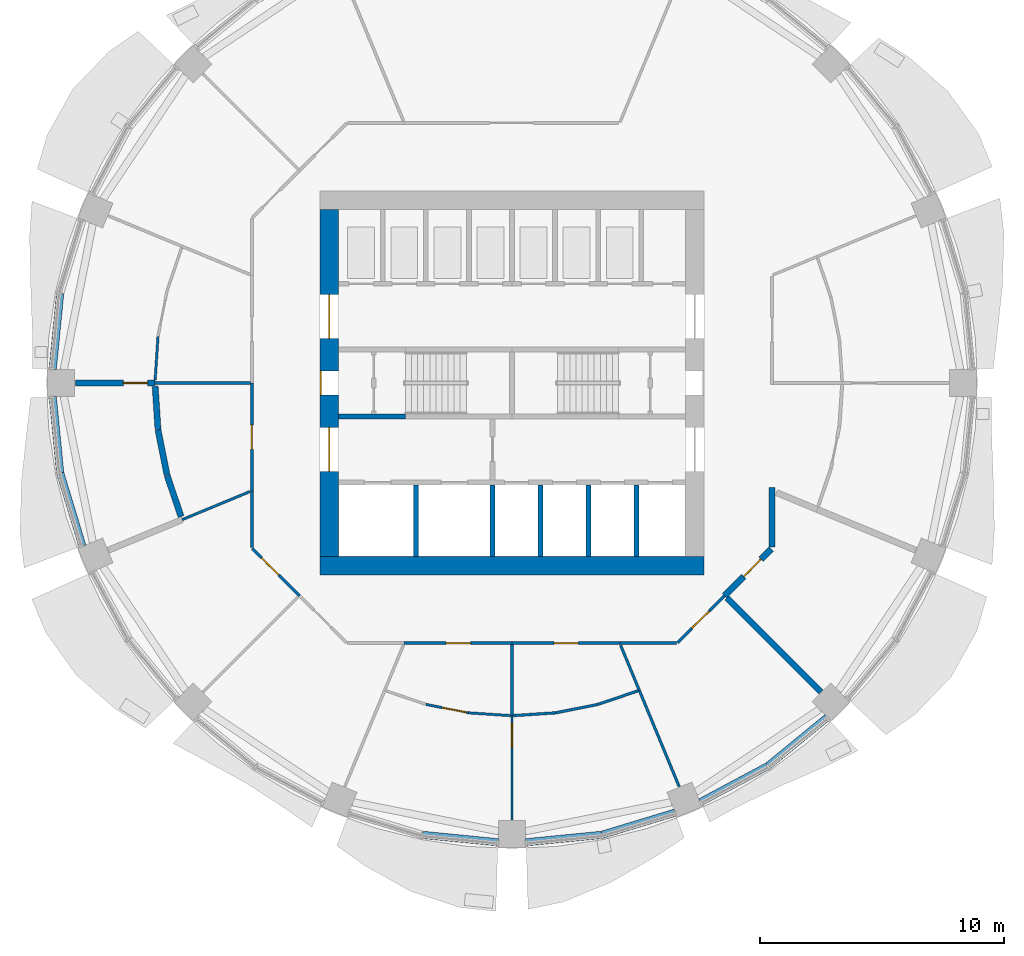
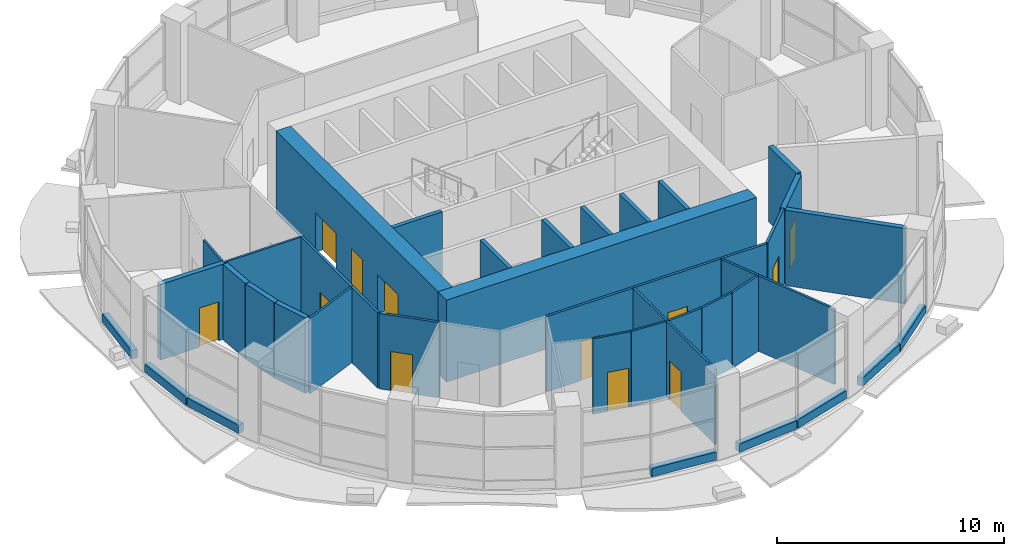
# One storey, part 6 of 13: 42 walls, 12 doors, 12 openings.
"""IFC4 building model written with IfcOpenShell, lengths in metres."""

from ifc_helpers import new_model, si_unit, direction, frame, frame_2d, origin, place, context, subcontext, project, spatial, rectangle, extrude, material, layer, layer_set, type_object, element, fill, save


model = new_model("IFC4")

# Units and contexts
model_context = context("Model", 3, precision=1e-05, world=origin(), true_north=direction((0.0, 1.0)))
body_context = subcontext(model_context, "Body", "Model", "MODEL_VIEW")
ifc_project = project(units=[si_unit("LENGTHUNIT", "METRE"), si_unit("AREAUNIT", "SQUARE_METRE"), si_unit("VOLUMEUNIT", "CUBIC_METRE"), si_unit("PLANEANGLEUNIT", "RADIAN"), si_unit("MASSUNIT", "GRAM", prefix="KILO")], contexts=[model_context])

# Site, building, storey
site_placement = place(None, origin())
site = spatial("IfcSite", under=ifc_project, at=site_placement, CompositionType="ELEMENT")
building_placement = place(site_placement, origin())
building = spatial("IfcBuilding", under=site, at=building_placement, Name="Polderwave Tower", CompositionType="ELEMENT")
storey_placement = place(building_placement, frame((0.0, 0.0, 116.550048828125)))
storey = spatial("IfcBuildingStorey", under=building, at=storey_placement, Name="L30", CompositionType="ELEMENT", Elevation=116.550048828125)

# Wall
ifc_material_1 = material(Name="Concrete C70/85", Category="concrete")
ifc_layer_1 = layer(ifc_material_1, 0.75)
ifc_layer_set_1 = layer_set([ifc_layer_1], Name="CORE WALL 750 C70/85")
wall_type_1 = type_object("IfcWallType", Name="CORE WALL 750 C70/85", PredefinedType="SHEAR", material=ifc_layer_set_1)
wall_1_placement = place(storey_placement, frame((-7.8740234375, -7.4990234375, 0.0), z_axis=(0.0, 0.0, 1.0), x_axis=(1.0, 0.0, 0.0)))
element("IfcWall", 1, at=wall_1_placement, inside=storey, type_object=wall_type_1, Name="ST-CORE-L30-S", PredefinedType="SHEAR", context=body_context, shape_type="SweptSolid", body=[
    extrude(rectangle(XDim=15.748046875, YDim=0.75, at=frame_2d((7.8740234375, 0.0))), origin(), (0.0, 0.0, 1.0), 4.39990234375),
])

# Wall, openings, doors
wall_2_placement = place(storey_placement, frame((-7.4990234375, -7.1240234375, 0.0), z_axis=(0.0, 0.0, 1.0), x_axis=(0.0, 1.0, 0.0)))
wall_2 = element("IfcWall", 2, at=wall_2_placement, inside=storey, type_object=wall_type_1, Name="ST-CORE-L30-W", PredefinedType="SHEAR", context=body_context, shape_type="SweptSolid", body=[
    extrude(rectangle(XDim=14.248046875, YDim=0.75, at=frame_2d((7.1240234375, 0.0))), origin(), (0.0, 0.0, 1.0), 4.39990234375),
])
opening_1_placement = place(wall_2_placement, frame((6.6240234375, 0.0, 0.0)))
opening_1 = element("IfcOpeningElement", 3, at=opening_1_placement, cuts=wall_2, Name="Opening L30-D20", PredefinedType="OPENING", context=body_context, shape_type="SweptSolid", body=[
    extrude(rectangle(XDim=1.0, YDim=2.10009765625, at=frame_2d((0.5, 1.050048828125))), frame((0.0, 0.385009765625, 0.0), z_axis=(0.0, -1.0, 0.0), x_axis=(1.0, 0.0, 0.0)), (0.0, 0.0, 1.0), 0.77001953125),
])
opening_2_placement = place(wall_2_placement, frame((3.49951171875, 0.0, 0.0)))
opening_2 = element("IfcOpeningElement", 4, at=opening_2_placement, cuts=wall_2, Name="Opening L30-D21", PredefinedType="OPENING", context=body_context, shape_type="SweptSolid", body=[
    extrude(rectangle(XDim=1.800048828125, YDim=2.10009765625, at=frame_2d((0.89990234375, 1.050048828125))), frame((0.0, 0.385009765625, 0.0), z_axis=(0.0, -1.0, 0.0), x_axis=(1.0, 0.0, 0.0)), (0.0, 0.0, 1.0), 0.77001953125),
])
opening_3_placement = place(wall_2_placement, frame((8.948486328125, 0.0, 0.0)))
opening_3 = element("IfcOpeningElement", 5, at=opening_3_placement, cuts=wall_2, Name="Opening L30-D22", PredefinedType="OPENING", context=body_context, shape_type="SweptSolid", body=[
    extrude(rectangle(XDim=1.800048828125, YDim=2.10009765625, at=frame_2d((0.89990234375, 1.050048828125))), frame((0.0, 0.385009765625, 0.0), z_axis=(0.0, -1.0, 0.0), x_axis=(1.0, 0.0, 0.0)), (0.0, 0.0, 1.0), 0.77001953125),
])
ifc_material_2 = material(Name="Steel fire door", Category="steel")
door_type_1 = type_object("IfcDoorType", Name="Lobby entry door pair 1800", OperationType="DOUBLE_DOOR_SINGLE_SWING", PredefinedType="DOOR", material=ifc_material_2)
door_1_placement = place(opening_2_placement, origin())
door_1 = element("IfcDoor", 6, at=door_1_placement, inside=storey, type_object=door_type_1, Name="Fire-fighting lobby entry door", OperationType="DOUBLE_DOOR_SINGLE_SWING", OverallHeight=2.10009765625, OverallWidth=1.800048828125, PredefinedType="DOOR", context=body_context, shape_type="SweptSolid", body=[
    extrude(rectangle(XDim=1.800048828125, YDim=2.10009765625, at=frame_2d((0.89990234375, 1.050048828125))), frame((0.0, 0.02490234375, 0.0), z_axis=(0.0, -1.0, 0.0), x_axis=(1.0, 0.0, 0.0)), (0.0, 0.0, 1.0), 0.050048828125),
])
fill(opening_2, door_1)
door_2_placement = place(opening_3_placement, origin())
door_2 = element("IfcDoor", 7, at=door_2_placement, inside=storey, type_object=door_type_1, Name="North lobby entry door", OperationType="DOUBLE_DOOR_SINGLE_SWING", OverallHeight=2.10009765625, OverallWidth=1.800048828125, PredefinedType="DOOR", context=body_context, shape_type="SweptSolid", body=[
    extrude(rectangle(XDim=1.800048828125, YDim=2.10009765625, at=frame_2d((0.89990234375, 1.050048828125))), frame((0.0, 0.02490234375, 0.0), z_axis=(0.0, -1.0, 0.0), x_axis=(1.0, 0.0, 0.0)), (0.0, 0.0, 1.0), 0.050048828125),
])
fill(opening_3, door_2)
door_type_2 = type_object("IfcDoorType", Name="Stair door 1000", OperationType="NOTDEFINED", PredefinedType="DOOR", material=ifc_material_2)
door_3_placement = place(opening_1_placement, origin())
door_3 = element("IfcDoor", 8, at=door_3_placement, inside=storey, type_object=door_type_2, Name="Stair A entry door", OperationType="SINGLE_SWING_RIGHT", OverallHeight=2.10009765625, OverallWidth=1.0, PredefinedType="DOOR", context=body_context, shape_type="SweptSolid", body=[
    extrude(rectangle(XDim=1.0, YDim=2.10009765625, at=frame_2d((0.5, 1.050048828125))), frame((0.0, 0.375, 0.0), z_axis=(0.0, -1.0, 0.0), x_axis=(1.0, 0.0, 0.0)), (0.0, 0.0, 1.0), 0.050048828125),
])
fill(opening_1, door_3)

# Walls
ifc_material_3 = material(Name="Concrete C50/60 (board-marked)", Category="concrete")
ifc_layer_2 = layer(ifc_material_3, 0.300048828125)
ifc_layer_set_2 = layer_set([ifc_layer_2], Name="Concrete spandrel upstand C50/60")
wall_type_2 = type_object("IfcWallType", Name="Concrete spandrel upstand C50/60", PredefinedType="SOLIDWALL", material=ifc_layer_set_2)
for number, where, z_axis, x_axis, name in (
    (9, (-18.53857421875, 3.672119140625, 0.0), (0.0, 0.0, 1.0), (-0.097947922522, -0.995191541601, 0.0), "Spandrel L30 8b"),
    (10, (-18.844482421875, -0.56396484375, 0.0), (0.0, 0.0, 1.0), (0.097947922522, -0.995191541601, 0.0), "Spandrel L30 9a"),
):
    element("IfcWall", number, at=place(storey_placement, frame(where, z_axis=z_axis, x_axis=x_axis)), inside=storey, type_object=wall_type_2, Name=name, PredefinedType="SOLIDWALL", context=body_context, shape_type="SweptSolid", body=[
        extrude(rectangle(XDim=3.123291015625, YDim=0.300048828125, at=frame_2d((1.5615234375, 0.0))), origin(), (0.0, 0.0, 1.0), 0.449951171875),
    ])
wall_3_placement = place(storey_placement, frame((-18.53271484375, -3.701416015625, 0.0), z_axis=(0.0, 0.0, 1.0), x_axis=(0.290415156078, -0.956900745699, 0.0)))
element("IfcWall", 11, at=wall_3_placement, inside=storey, type_object=wall_type_2, Name="Spandrel L30 9b", PredefinedType="SOLIDWALL", context=body_context, shape_type="SweptSolid", body=[
    extrude(rectangle(XDim=3.123779296875, YDim=0.300048828125, at=frame_2d((1.56201171875, 0.0))), origin(), (0.0, 0.0, 1.0), 0.449951171875),
])
for number, where, z_axis, x_axis, name in (
    (12, (-3.672119140625, -18.53857421875, 0.0), (0.0, 0.0, 1.0), (0.995191541601, -0.097947922522, 0.0), "Spandrel L30 12b"),
    (13, (0.56396484375, -18.844482421875, 0.0), (0.0, 0.0, 1.0), (0.995191541601, 0.097947922522, 0.0), "Spandrel L30 13a"),
):
    element("IfcWall", number, at=place(storey_placement, frame(where, z_axis=z_axis, x_axis=x_axis)), inside=storey, type_object=wall_type_2, Name=name, PredefinedType="SOLIDWALL", context=body_context, shape_type="SweptSolid", body=[
        extrude(rectangle(XDim=3.123291015625, YDim=0.300048828125, at=frame_2d((1.5615234375, 0.0))), origin(), (0.0, 0.0, 1.0), 0.449951171875),
    ])
wall_4_placement = place(storey_placement, frame((3.701416015625, -18.53271484375, 0.0), z_axis=(0.0, 0.0, 1.0), x_axis=(0.956900745699, 0.290415156078, 0.0)))
element("IfcWall", 14, at=wall_4_placement, inside=storey, type_object=wall_type_2, Name="Spandrel L30 13b", PredefinedType="SOLIDWALL", context=body_context, shape_type="SweptSolid", body=[
    extrude(rectangle(XDim=3.123779296875, YDim=0.300048828125, at=frame_2d((1.56201171875, 0.0))), origin(), (0.0, 0.0, 1.0), 0.449951171875),
])
for number, where, z_axis, x_axis, name in (
    (15, (7.732177734375, -17.19384765625, 0.0), (0.0, 0.0, 1.0), (0.881885165648, 0.471464266524, 0.0), "Spandrel L30 14a"),
    (16, (10.51171875, -15.70458984375, 0.0), (0.0, 0.0, 1.0), (0.773099904946, 0.634284271422, 0.0), "Spandrel L30 14b"),
):
    element("IfcWall", number, at=place(storey_placement, frame(where, z_axis=z_axis, x_axis=x_axis)), inside=storey, type_object=wall_type_2, Name=name, PredefinedType="SOLIDWALL", context=body_context, shape_type="SweptSolid", body=[
        extrude(rectangle(XDim=3.12353515625, YDim=0.300048828125, at=frame_2d((1.561767578125, 0.0))), origin(), (0.0, 0.0, 1.0), 0.449951171875),
    ])
ifc_material_4 = material(Name="Concrete C50/60", Category="concrete")
ifc_layer_3 = layer(ifc_material_4, 0.199951171875)
ifc_layer_set_3 = layer_set([ifc_layer_3], Name="Core web wall 200")
wall_type_3 = type_object("IfcWallType", Name="Core web wall 200", PredefinedType="SHEAR", material=ifc_layer_set_3)
wall_5_placement = place(storey_placement, frame((-7.1240234375, -1.375, 0.0), z_axis=(0.0, 0.0, 1.0), x_axis=(1.0, 0.0, 0.0)))
element("IfcWall", 17, at=wall_5_placement, inside=storey, type_object=wall_type_3, Name="L30 south stair wall 1", PredefinedType="SHEAR", context=body_context, shape_type="SweptSolid", body=[
    extrude(rectangle(XDim=2.75, YDim=0.199951171875, at=frame_2d((1.375, 0.0))), origin(), (0.0, 0.0, 1.0), 4.050048828125),
])

# Wall, opening, door
ifc_material_5 = material(Name="Fire-resisting board on steel studs", Category="steel")
ifc_layer_4 = layer(ifc_material_5, 0.125)
ifc_layer_set_4 = layer_set([ifc_layer_4], Name="Corridor wall 125 mm EI 60")
wall_type_4 = type_object("IfcWallType", Name="Corridor wall 125 mm EI 60", PredefinedType="PARTITIONING", material=ifc_layer_set_4)
wall_6_placement = place(storey_placement, frame((-10.674072265625, -4.42138671875, 0.0), z_axis=(0.0, 0.0, 1.0), x_axis=(0.0, 1.0, 0.0)))
wall_6 = element("IfcWall", 18, at=wall_6_placement, inside=storey, type_object=wall_type_4, Name="IN-L30-W010", PredefinedType="PARTITIONING", context=body_context, shape_type="SweptSolid", body=[
    extrude(rectangle(XDim=4.42138671875, YDim=0.125, at=frame_2d((2.210693359375, 0.0))), origin(), (0.0, 0.0, 1.0), 4.050048828125),
])
opening_4_placement = place(wall_6_placement, frame((1.699951171875, 0.0, 0.0)))
opening_4 = element("IfcOpeningElement", 19, at=opening_4_placement, cuts=wall_6, Name="Opening L30-D56", PredefinedType="OPENING", context=body_context, shape_type="SweptSolid", body=[
    extrude(rectangle(XDim=1.0, YDim=2.10009765625, at=frame_2d((0.5, 1.050048828125))), frame((0.0, 0.072509765625, 0.0), z_axis=(0.0, -1.0, 0.0), x_axis=(1.0, 0.0, 0.0)), (0.0, 0.0, 1.0), 0.14501953125),
])
ifc_material_6 = material(Name="Timber fire door leaf", Category="wood")
door_type_3 = type_object("IfcDoorType", Name="Fire door FD30S 1000 x 2100", OperationType="NOTDEFINED", PredefinedType="DOOR", material=ifc_material_6)
door_4_placement = place(opening_4_placement, origin())
door_4 = element("IfcDoor", 20, at=door_4_placement, inside=storey, type_object=door_type_3, Name="Door L30-D56", OperationType="SINGLE_SWING_LEFT", OverallHeight=2.10009765625, OverallWidth=1.0, PredefinedType="DOOR", context=body_context, shape_type="SweptSolid", body=[
    extrude(rectangle(XDim=1.0, YDim=2.10009765625, at=frame_2d((0.5, 1.050048828125))), frame((0.0, 0.02490234375, 0.0), z_axis=(0.0, -1.0, 0.0), x_axis=(1.0, 0.0, 0.0)), (0.0, 0.0, 1.0), 0.050048828125),
])
fill(opening_4, door_4)

# Wall
wall_7_placement = place(storey_placement, frame((-10.674072265625, -6.7451171875, 0.0), z_axis=(0.0, 0.0, 1.0), x_axis=(0.0, 1.0, 0.0)))
element("IfcWall", 21, at=wall_7_placement, inside=storey, type_object=wall_type_4, Name="IN-L30-W011", PredefinedType="PARTITIONING", context=body_context, shape_type="SweptSolid", body=[
    extrude(rectangle(XDim=2.32373046875, YDim=0.125, at=frame_2d((1.161865234375, 0.0))), origin(), (0.0, 0.0, 1.0), 4.050048828125),
])

# Wall, opening, door
wall_8_placement = place(storey_placement, frame((-8.722412109375, -8.722412109375, 0.0), z_axis=(0.0, 0.0, 1.0), x_axis=(-0.707151428813, 0.707062130741, 0.0)))
wall_8 = element("IfcWall", 22, at=wall_8_placement, inside=storey, type_object=wall_type_4, Name="IN-L30-W012", PredefinedType="PARTITIONING", context=body_context, shape_type="SweptSolid", body=[
    extrude(rectangle(XDim=2.73388671875, YDim=0.125, at=frame_2d((1.366943359375, 0.0))), origin(), (0.0, 0.0, 1.0), 4.050048828125),
])
opening_5_placement = place(wall_8_placement, frame((1.199951171875, 0.0, 0.0)))
opening_5 = element("IfcOpeningElement", 23, at=opening_5_placement, cuts=wall_8, Name="Opening L30-D57", PredefinedType="OPENING", context=body_context, shape_type="SweptSolid", body=[
    extrude(rectangle(XDim=1.0, YDim=2.10009765625, at=frame_2d((0.5, 1.050048828125))), frame((0.0, 0.072509765625, 0.0), z_axis=(0.0, -1.0, 0.0), x_axis=(1.0, 0.0, 0.0)), (0.0, 0.0, 1.0), 0.14501953125),
])
door_5_placement = place(opening_5_placement, origin())
door_5 = element("IfcDoor", 24, at=door_5_placement, inside=storey, type_object=door_type_3, Name="Door L30-D57", OperationType="SINGLE_SWING_RIGHT", OverallHeight=2.10009765625, OverallWidth=1.0, PredefinedType="DOOR", context=body_context, shape_type="SweptSolid", body=[
    extrude(rectangle(XDim=1.0, YDim=2.10009765625, at=frame_2d((0.5, 1.050048828125))), frame((0.0, 0.02490234375, 0.0), z_axis=(0.0, -1.0, 0.0), x_axis=(1.0, 0.0, 0.0)), (0.0, 0.0, 1.0), 0.050048828125),
])
fill(opening_5, door_5)

wall_9_placement = place(storey_placement, frame((0.0, -10.674072265625, 0.0), z_axis=(0.0, 0.0, 1.0), x_axis=(-1.0, 0.0, 0.0)))
wall_9 = element("IfcWall", 25, at=wall_9_placement, inside=storey, type_object=wall_type_4, Name="IN-L30-W015", PredefinedType="PARTITIONING", context=body_context, shape_type="SweptSolid", body=[
    extrude(rectangle(XDim=4.42138671875, YDim=0.125, at=frame_2d((2.210693359375, 0.0))), origin(), (0.0, 0.0, 1.0), 4.050048828125),
])
opening_6_placement = place(wall_9_placement, frame((1.699951171875, 0.0, 0.0)))
opening_6 = element("IfcOpeningElement", 26, at=opening_6_placement, cuts=wall_9, Name="Opening L30-D59", PredefinedType="OPENING", context=body_context, shape_type="SweptSolid", body=[
    extrude(rectangle(XDim=1.0, YDim=2.10009765625, at=frame_2d((0.5, 1.050048828125))), frame((0.0, 0.072509765625, 0.0), z_axis=(0.0, -1.0, 0.0), x_axis=(1.0, 0.0, 0.0)), (0.0, 0.0, 1.0), 0.14501953125),
])
door_6_placement = place(opening_6_placement, origin())
door_6 = element("IfcDoor", 27, at=door_6_placement, inside=storey, type_object=door_type_3, Name="Door L30-D59", OperationType="SINGLE_SWING_LEFT", OverallHeight=2.10009765625, OverallWidth=1.0, PredefinedType="DOOR", context=body_context, shape_type="SweptSolid", body=[
    extrude(rectangle(XDim=1.0, YDim=2.10009765625, at=frame_2d((0.5, 1.050048828125))), frame((0.0, 0.02490234375, 0.0), z_axis=(0.0, -1.0, 0.0), x_axis=(1.0, 0.0, 0.0)), (0.0, 0.0, 1.0), 0.050048828125),
])
fill(opening_6, door_6)

wall_10_placement = place(storey_placement, frame((4.42138671875, -10.674072265625, 0.0), z_axis=(0.0, 0.0, 1.0), x_axis=(-1.0, 0.0, 0.0)))
wall_10 = element("IfcWall", 28, at=wall_10_placement, inside=storey, type_object=wall_type_4, Name="IN-L30-W016", PredefinedType="PARTITIONING", context=body_context, shape_type="SweptSolid", body=[
    extrude(rectangle(XDim=4.42138671875, YDim=0.125, at=frame_2d((2.210693359375, 0.0))), origin(), (0.0, 0.0, 1.0), 4.050048828125),
])
opening_7_placement = place(wall_10_placement, frame((1.699951171875, 0.0, 0.0)))
opening_7 = element("IfcOpeningElement", 29, at=opening_7_placement, cuts=wall_10, Name="Opening L30-D60", PredefinedType="OPENING", context=body_context, shape_type="SweptSolid", body=[
    extrude(rectangle(XDim=1.0, YDim=2.10009765625, at=frame_2d((0.5, 1.050048828125))), frame((0.0, 0.072509765625, 0.0), z_axis=(0.0, -1.0, 0.0), x_axis=(1.0, 0.0, 0.0)), (0.0, 0.0, 1.0), 0.14501953125),
])
door_7_placement = place(opening_7_placement, origin())
door_7 = element("IfcDoor", 30, at=door_7_placement, inside=storey, type_object=door_type_3, Name="Door L30-D60", OperationType="SINGLE_SWING_LEFT", OverallHeight=2.10009765625, OverallWidth=1.0, PredefinedType="DOOR", context=body_context, shape_type="SweptSolid", body=[
    extrude(rectangle(XDim=1.0, YDim=2.10009765625, at=frame_2d((0.5, 1.050048828125))), frame((0.0, 0.02490234375, 0.0), z_axis=(0.0, -1.0, 0.0), x_axis=(1.0, 0.0, 0.0)), (0.0, 0.0, 1.0), 0.050048828125),
])
fill(opening_7, door_7)

# Wall
wall_11_placement = place(storey_placement, frame((6.7451171875, -10.674072265625, 0.0), z_axis=(0.0, 0.0, 1.0), x_axis=(-1.0, 0.0, 0.0)))
element("IfcWall", 31, at=wall_11_placement, inside=storey, type_object=wall_type_4, Name="IN-L30-W017", PredefinedType="PARTITIONING", context=body_context, shape_type="SweptSolid", body=[
    extrude(rectangle(XDim=2.32373046875, YDim=0.125, at=frame_2d((1.161865234375, 0.0))), origin(), (0.0, 0.0, 1.0), 4.050048828125),
])

# Wall, opening, door
wall_12_placement = place(storey_placement, frame((8.722412109375, -8.722412109375, 0.0), z_axis=(0.0, 0.0, 1.0), x_axis=(-0.707062130741, -0.707151428813, 0.0)))
wall_12 = element("IfcWall", 32, at=wall_12_placement, inside=storey, type_object=wall_type_4, Name="IN-L30-W018", PredefinedType="PARTITIONING", context=body_context, shape_type="SweptSolid", body=[
    extrude(rectangle(XDim=2.73388671875, YDim=0.125, at=frame_2d((1.366943359375, 0.0))), origin(), (0.0, 0.0, 1.0), 4.050048828125),
])
opening_8_placement = place(wall_12_placement, frame((0.89990234375, 0.0, 0.0)))
opening_8 = element("IfcOpeningElement", 33, at=opening_8_placement, cuts=wall_12, Name="Opening L30-D61", PredefinedType="OPENING", context=body_context, shape_type="SweptSolid", body=[
    extrude(rectangle(XDim=1.0, YDim=2.10009765625, at=frame_2d((0.5, 1.050048828125))), frame((0.0, 0.072509765625, 0.0), z_axis=(0.0, -1.0, 0.0), x_axis=(1.0, 0.0, 0.0)), (0.0, 0.0, 1.0), 0.14501953125),
])
door_8_placement = place(opening_8_placement, origin())
door_8 = element("IfcDoor", 34, at=door_8_placement, inside=storey, type_object=door_type_3, Name="Door L30-D61", OperationType="SINGLE_SWING_RIGHT", OverallHeight=2.10009765625, OverallWidth=1.0, PredefinedType="DOOR", context=body_context, shape_type="SweptSolid", body=[
    extrude(rectangle(XDim=1.0, YDim=2.10009765625, at=frame_2d((0.5, 1.050048828125))), frame((0.0, 0.02490234375, 0.0), z_axis=(0.0, -1.0, 0.0), x_axis=(1.0, 0.0, 0.0)), (0.0, 0.0, 1.0), 0.050048828125),
])
fill(opening_8, door_8)

# Wall
ifc_material_7 = material(Name="Plasterboard on steel studs", Category="steel")
ifc_layer_5 = layer(ifc_material_7, 0.10009765625)
ifc_layer_set_5 = layer_set([ifc_layer_5], Name="Partition 100 mm plasterboard on steel studs")
wall_type_5 = type_object("IfcWallType", Name="Partition 100 mm plasterboard on steel studs", PredefinedType="PARTITIONING", material=ifc_layer_set_5)
wall_13_placement = place(storey_placement, frame((-14.6416015625, 0.12841796875, 0.0), z_axis=(0.0, 0.0, 1.0), x_axis=(0.065401974699, 0.99785899891, 0.0)))
element("IfcWall", 35, at=wall_13_placement, inside=storey, type_object=wall_type_5, Name="IN-L30-W031", PredefinedType="PARTITIONING", context=body_context, shape_type="SweptSolid", body=[
    extrude(rectangle(XDim=1.784423828125, YDim=0.10009765625, at=frame_2d((0.89208984375, 0.0))), origin(), (0.0, 0.0, 1.0), 4.050048828125),
])

# Wall, opening, door
wall_14_placement = place(storey_placement, frame((-1.784912109375, -13.53271484375, 0.0), z_axis=(0.0, 0.0, 1.0), x_axis=(-0.980775476921, 0.195139600977, 0.0)))
wall_14 = element("IfcWall", 36, at=wall_14_placement, inside=storey, type_object=wall_type_5, Name="IN-L30-W045", PredefinedType="PARTITIONING", context=body_context, shape_type="SweptSolid", body=[
    extrude(rectangle(XDim=1.779052734375, YDim=0.10009765625, at=frame_2d((0.8896484375, 0.0))), origin(), (0.0, 0.0, 1.0), 4.050048828125),
])
opening_9_placement = place(wall_14_placement, frame((0.10009765625, 0.0, 0.0)))
opening_9 = element("IfcOpeningElement", 37, at=opening_9_placement, cuts=wall_14, Name="Opening L30-D65", PredefinedType="OPENING", context=body_context, shape_type="SweptSolid", body=[
    extrude(rectangle(XDim=1.0, YDim=2.10009765625, at=frame_2d((0.5, 1.050048828125))), frame((0.0, 0.06005859375, 0.0), z_axis=(0.0, -1.0, 0.0), x_axis=(1.0, 0.0, 0.0)), (0.0, 0.0, 1.0), 0.1201171875),
])
ifc_material_8 = material(Name="Timber veneer door leaf", Category="wood")
door_type_4 = type_object("IfcDoorType", Name="Single door 1000 x 2100", OperationType="NOTDEFINED", PredefinedType="DOOR", material=ifc_material_8)
door_9_placement = place(opening_9_placement, origin())
door_9 = element("IfcDoor", 38, at=door_9_placement, inside=storey, type_object=door_type_4, Name="Door L30-D65", OperationType="SINGLE_SWING_LEFT", OverallHeight=2.10009765625, OverallWidth=1.0, PredefinedType="DOOR", context=body_context, shape_type="SweptSolid", body=[
    extrude(rectangle(XDim=1.0, YDim=2.10009765625, at=frame_2d((0.5, 1.050048828125))), frame((0.0, 0.02490234375, 0.0), z_axis=(0.0, -1.0, 0.0), x_axis=(1.0, 0.0, 0.0)), (0.0, 0.0, 1.0), 0.050048828125),
])
fill(opening_9, door_9)

# Wall
wall_15_placement = place(storey_placement, frame((-0.058349609375, -13.646240234375, 0.0), z_axis=(0.0, 0.0, 1.0), x_axis=(-0.997856645822, 0.065437866625, 0.0)))
element("IfcWall", 39, at=wall_15_placement, inside=storey, type_object=wall_type_5, Name="IN-L30-W046", PredefinedType="PARTITIONING", context=body_context, shape_type="SweptSolid", body=[
    extrude(rectangle(XDim=1.7236328125, YDim=0.10009765625, at=frame_2d((0.86181640625, 0.0))), origin(), (0.0, 0.0, 1.0), 4.050048828125),
])

# Wall, opening, door
wall_16_placement = place(storey_placement, frame((0.0, -13.64990234375, 0.0), z_axis=(0.0, 0.0, 1.0), x_axis=(0.0, -1.0, 0.0)))
wall_16 = element("IfcWall", 40, at=wall_16_placement, inside=storey, type_object=wall_type_5, Name="IN-L30-W048", PredefinedType="PARTITIONING", context=body_context, shape_type="SweptSolid", body=[
    extrude(rectangle(XDim=4.27001953125, YDim=0.10009765625, at=frame_2d((2.135009765625, 0.0))), origin(), (0.0, 0.0, 1.0), 4.050048828125),
])
opening_10_placement = place(wall_16_placement, frame((0.300048828125, 0.0, 0.0)))
opening_10 = element("IfcOpeningElement", 41, at=opening_10_placement, cuts=wall_16, Name="Opening L30-D66", PredefinedType="OPENING", context=body_context, shape_type="SweptSolid", body=[
    extrude(rectangle(XDim=1.0, YDim=2.10009765625, at=frame_2d((0.5, 1.050048828125))), frame((0.0, 0.06005859375, 0.0), z_axis=(0.0, -1.0, 0.0), x_axis=(1.0, 0.0, 0.0)), (0.0, 0.0, 1.0), 0.1201171875),
])
door_10_placement = place(opening_10_placement, origin())
door_10 = element("IfcDoor", 42, at=door_10_placement, inside=storey, type_object=door_type_4, Name="Door L30-D66", OperationType="SINGLE_SWING_LEFT", OverallHeight=2.10009765625, OverallWidth=1.0, PredefinedType="DOOR", context=body_context, shape_type="SweptSolid", body=[
    extrude(rectangle(XDim=1.0, YDim=2.10009765625, at=frame_2d((0.5, 1.050048828125))), frame((0.0, 0.02490234375, 0.0), z_axis=(0.0, -1.0, 0.0), x_axis=(1.0, 0.0, 0.0)), (0.0, 0.0, 1.0), 0.050048828125),
])
fill(opening_10, door_10)

# Walls
ifc_material_9 = material(Name="Moisture-resistant board on steel studs, tiled", Category="steel")
ifc_layer_6 = layer(ifc_material_9, 0.10498046875)
ifc_layer_set_6 = layer_set([ifc_layer_6], Name="Partition 105 mm wet room board and tile")
wall_type_6 = type_object("IfcWallType", Name="Partition 105 mm wet room board and tile", PredefinedType="PARTITIONING", material=ifc_layer_set_6)
wall_17_placement = place(storey_placement, frame((-10.736572265625, 0.0, 0.0), z_axis=(0.0, 0.0, 1.0), x_axis=(-1.0, 0.0, 0.0)))
element("IfcWall", 43, at=wall_17_placement, inside=storey, type_object=wall_type_6, Name="IN-L30-W034", PredefinedType="PARTITIONING", context=body_context, shape_type="SweptSolid", body=[
    extrude(rectangle(XDim=3.913330078125, YDim=0.10498046875, at=frame_2d((1.95654296875, 0.0))), origin(), (0.0, 0.0, 1.0), 4.050048828125),
])
wall_18_placement = place(storey_placement, frame((-10.756591796875, -4.45556640625, 0.0), z_axis=(0.0, 0.0, 1.0), x_axis=(-0.923901068593, -0.382631435525, 0.0)))
element("IfcWall", 44, at=wall_18_placement, inside=storey, type_object=wall_type_6, Name="IN-L30-W040", PredefinedType="PARTITIONING", context=body_context, shape_type="SweptSolid", body=[
    extrude(rectangle(XDim=3.007080078125, YDim=0.10498046875, at=frame_2d((1.50341796875, 0.0))), origin(), (0.0, 0.0, 1.0), 4.050048828125),
])
ifc_material_10 = material(Name="Acoustic double plasterboard on steel studs", Category="steel")
ifc_layer_7 = layer(ifc_material_10, 0.110107421875)
ifc_layer_set_7 = layer_set([ifc_layer_7], Name="Partition 110 mm acoustic double board")
wall_type_7 = type_object("IfcWallType", Name="Partition 110 mm acoustic double board", PredefinedType="PARTITIONING", material=ifc_layer_set_7)
wall_19_placement = place(storey_placement, frame((0.0, -10.736572265625, 0.0), z_axis=(0.0, 0.0, 1.0), x_axis=(0.0, -1.0, 0.0)))
element("IfcWall", 45, at=wall_19_placement, inside=storey, type_object=wall_type_7, Name="IN-L30-W047", PredefinedType="PARTITIONING", context=body_context, shape_type="SweptSolid", body=[
    extrude(rectangle(XDim=2.913330078125, YDim=0.110107421875, at=frame_2d((1.45654296875, 0.0))), origin(), (0.0, 0.0, 1.0), 4.050048828125),
])
wall_20_placement = place(storey_placement, frame((1.778076171875, -13.533447265625, 0.0), z_axis=(0.0, 0.0, 1.0), x_axis=(-0.997855432267, -0.065456369403, 0.0)))
element("IfcWall", 46, at=wall_20_placement, inside=storey, type_object=wall_type_7, Name="IN-L30-W049", PredefinedType="PARTITIONING", context=body_context, shape_type="SweptSolid", body=[
    extrude(rectangle(XDim=1.72314453125, YDim=0.110107421875, at=frame_2d((0.861572265625, 0.0))), origin(), (0.0, 0.0, 1.0), 4.050048828125),
])
wall_21_placement = place(storey_placement, frame((3.529296875, -13.185546875, 0.0), z_axis=(0.0, 0.0, 1.0), x_axis=(-0.980786067217, -0.195086366394, 0.0)))
element("IfcWall", 47, at=wall_21_placement, inside=storey, type_object=wall_type_7, Name="IN-L30-W050", PredefinedType="PARTITIONING", context=body_context, shape_type="SweptSolid", body=[
    extrude(rectangle(XDim=1.7783203125, YDim=0.110107421875, at=frame_2d((0.88916015625, 0.0))), origin(), (0.0, 0.0, 1.0), 4.050048828125),
])
wall_22_placement = place(storey_placement, frame((5.16796875, -12.6298828125, 0.0), z_axis=(0.0, 0.0, 1.0), x_axis=(-0.946954831822, -0.321366685407, 0.0)))
element("IfcWall", 48, at=wall_22_placement, inside=storey, type_object=wall_type_7, Name="IN-L30-W051", PredefinedType="PARTITIONING", context=body_context, shape_type="SweptSolid", body=[
    extrude(rectangle(XDim=1.722900390625, YDim=0.110107421875, at=frame_2d((0.861328125, 0.0))), origin(), (0.0, 0.0, 1.0), 4.050048828125),
])
wall_23_placement = place(storey_placement, frame((4.455810546875, -10.757568359375, 0.0), z_axis=(0.0, 0.0, 1.0), x_axis=(0.382713619934, -0.923867027833, 0.0)))
element("IfcWall", 49, at=wall_23_placement, inside=storey, type_object=wall_type_7, Name="IN-L30-W052", PredefinedType="PARTITIONING", context=body_context, shape_type="SweptSolid", body=[
    extrude(rectangle(XDim=2.00634765625, YDim=0.110107421875, at=frame_2d((1.003173828125, 0.0))), origin(), (0.0, 0.0, 1.0), 4.050048828125),
])
wall_24_placement = place(storey_placement, frame((5.2236328125, -12.611083984375, 0.0), z_axis=(0.0, 0.0, 1.0), x_axis=(0.382690131178, -0.923876757744, 0.0)))
element("IfcWall", 50, at=wall_24_placement, inside=storey, type_object=wall_type_7, Name="IN-L30-W053", PredefinedType="PARTITIONING", context=body_context, shape_type="SweptSolid", body=[
    extrude(rectangle(XDim=4.269775390625, YDim=0.110107421875, at=frame_2d((2.134765625, 0.0))), origin(), (0.0, 0.0, 1.0), 4.050048828125),
])

# Wall, opening, door
ifc_material_11 = material(Name="Fire-resisting board on steel studs, mineral wool", Category="steel")
ifc_layer_8 = layer(ifc_material_11, 0.25)
ifc_layer_set_8 = layer_set([ifc_layer_8], Name="Plant room wall 250 mm EI 120")
wall_type_8 = type_object("IfcWallType", Name="Plant room wall 250 mm EI 120", PredefinedType="PARTITIONING", material=ifc_layer_set_8)
wall_25_placement = place(storey_placement, frame((10.637451171875, -6.8076171875, 0.0), z_axis=(0.0, 0.0, 1.0), x_axis=(-0.707151855722, -0.707061703777, 0.0)))
wall_25 = element("IfcWall", 51, at=wall_25_placement, inside=storey, type_object=wall_type_8, Name="IN-L30-W002", PredefinedType="PARTITIONING", context=body_context, shape_type="SweptSolid", body=[
    extrude(rectangle(XDim=2.7080078125, YDim=0.25, at=frame_2d((1.35400390625, 0.0))), origin(), (0.0, 0.0, 1.0), 4.050048828125),
])
opening_11_placement = place(wall_25_placement, frame((0.60009765625, 0.0, 0.0)))
opening_11 = element("IfcOpeningElement", 52, at=opening_11_placement, cuts=wall_25, Name="Opening L30-D51", PredefinedType="OPENING", context=body_context, shape_type="SweptSolid", body=[
    extrude(rectangle(XDim=1.0, YDim=2.10009765625, at=frame_2d((0.5, 1.050048828125))), frame((0.0, 0.135009765625, 0.0), z_axis=(0.0, -1.0, 0.0), x_axis=(1.0, 0.0, 0.0)), (0.0, 0.0, 1.0), 0.27001953125),
])
ifc_material_12 = material(Name="Steel plant door leaf", Category="steel")
door_type_5 = type_object("IfcDoorType", Name="Plant door FD60 1000 x 2100 steel", OperationType="NOTDEFINED", PredefinedType="DOOR", material=ifc_material_12)
door_11_placement = place(opening_11_placement, origin())
door_11 = element("IfcDoor", 53, at=door_11_placement, inside=storey, type_object=door_type_5, Name="Door L30-D51", OperationType="SINGLE_SWING_LEFT", OverallHeight=2.10009765625, OverallWidth=1.0, PredefinedType="DOOR", context=body_context, shape_type="SweptSolid", body=[
    extrude(rectangle(XDim=1.0, YDim=2.10009765625, at=frame_2d((0.5, 1.050048828125))), frame((0.0, 0.02490234375, 0.0), z_axis=(0.0, -1.0, 0.0), x_axis=(1.0, 0.0, 0.0)), (0.0, 0.0, 1.0), 0.050048828125),
])
fill(opening_11, door_11)

# Wall
wall_26_placement = place(storey_placement, frame((10.674072265625, -4.29638671875, 0.0), z_axis=(0.0, 0.0, 1.0), x_axis=(0.0, -1.0, 0.0)))
element("IfcWall", 54, at=wall_26_placement, inside=storey, type_object=wall_type_8, Name="IN-L30-W003", PredefinedType="PARTITIONING", context=body_context, shape_type="SweptSolid", body=[
    extrude(rectangle(XDim=2.4228515625, YDim=0.25, at=frame_2d((1.21142578125, 0.0))), origin(), (0.0, 0.0, 1.0), 4.050048828125),
])

# Wall, opening, door
wall_27_placement = place(storey_placement, frame((-14.64990234375, 0.0, 0.0), z_axis=(0.0, 0.0, 1.0), x_axis=(-1.0, 0.0, 0.0)))
wall_27 = element("IfcWall", 55, at=wall_27_placement, inside=storey, type_object=wall_type_8, Name="IN-L30-W035", PredefinedType="PARTITIONING", context=body_context, shape_type="SweptSolid", body=[
    extrude(rectangle(XDim=3.27001953125, YDim=0.25, at=frame_2d((1.635009765625, 0.0))), origin(), (0.0, 0.0, 1.0), 4.050048828125),
])
opening_12_placement = place(wall_27_placement, frame((0.300048828125, 0.0, 0.0)))
opening_12 = element("IfcOpeningElement", 56, at=opening_12_placement, cuts=wall_27, Name="Opening L30-D64", PredefinedType="OPENING", context=body_context, shape_type="SweptSolid", body=[
    extrude(rectangle(XDim=1.0, YDim=2.10009765625, at=frame_2d((0.5, 1.050048828125))), frame((0.0, 0.135009765625, 0.0), z_axis=(0.0, -1.0, 0.0), x_axis=(1.0, 0.0, 0.0)), (0.0, 0.0, 1.0), 0.27001953125),
])
door_12_placement = place(opening_12_placement, origin())
door_12 = element("IfcDoor", 57, at=door_12_placement, inside=storey, type_object=door_type_5, Name="Door L30-D64", OperationType="SINGLE_SWING_LEFT", OverallHeight=2.10009765625, OverallWidth=1.0, PredefinedType="DOOR", context=body_context, shape_type="SweptSolid", body=[
    extrude(rectangle(XDim=1.0, YDim=2.10009765625, at=frame_2d((0.5, 1.050048828125))), frame((0.0, 0.02490234375, 0.0), z_axis=(0.0, -1.0, 0.0), x_axis=(1.0, 0.0, 0.0)), (0.0, 0.0, 1.0), 0.050048828125),
])
fill(opening_12, door_12)

# Walls
wall_28_placement = place(storey_placement, frame((-14.641357421875, -0.13330078125, 0.0), z_axis=(0.0, 0.0, 1.0), x_axis=(0.06548713977, -0.997853413345, 0.0)))
element("IfcWall", 58, at=wall_28_placement, inside=storey, type_object=wall_type_8, Name="IN-L30-W036", PredefinedType="PARTITIONING", context=body_context, shape_type="SweptSolid", body=[
    extrude(rectangle(XDim=1.774658203125, YDim=0.25, at=frame_2d((0.88720703125, 0.0))), origin(), (0.0, 0.0, 1.0), 4.050048828125),
])
wall_29_placement = place(storey_placement, frame((-14.523193359375, -1.920166015625, 0.0), z_axis=(0.0, 0.0, 1.0), x_axis=(0.195177076155, -0.980768019943, 0.0)))
element("IfcWall", 59, at=wall_29_placement, inside=storey, type_object=wall_type_8, Name="IN-L30-W037", PredefinedType="PARTITIONING", context=body_context, shape_type="SweptSolid", body=[
    extrude(rectangle(XDim=1.900146484375, YDim=0.25, at=frame_2d((0.9501953125, 0.0))), origin(), (0.0, 0.0, 1.0), 4.050048828125),
])
wall_30_placement = place(storey_placement, frame((-14.148193359375, -3.799560546875, 0.0), z_axis=(0.0, 0.0, 1.0), x_axis=(0.321505625643, -0.946907668508, 0.0)))
element("IfcWall", 60, at=wall_30_placement, inside=storey, type_object=wall_type_8, Name="IN-L30-W038", PredefinedType="PARTITIONING", context=body_context, shape_type="SweptSolid", body=[
    extrude(rectangle(XDim=1.774658203125, YDim=0.25, at=frame_2d((0.88720703125, 0.0))), origin(), (0.0, 0.0, 1.0), 4.050048828125),
])
wall_31_placement = place(storey_placement, frame((8.810791015625, -8.810791015625, 0.0), z_axis=(0.0, 0.0, 1.0), x_axis=(0.707106781187, -0.707106781187, 0.0)))
element("IfcWall", 61, at=wall_31_placement, inside=storey, type_object=wall_type_8, Name="IN-L30-W054", PredefinedType="PARTITIONING", context=body_context, shape_type="SweptSolid", body=[
    extrude(rectangle(XDim=5.459716796875, YDim=0.25, at=frame_2d((2.72998046875, 0.0))), origin(), (0.0, 0.0, 1.0), 4.050048828125),
])
ifc_material_13 = material(Name="Gypsum shaft wall system")
ifc_layer_9 = layer(ifc_material_13, 0.199951171875)
ifc_layer_set_9 = layer_set([ifc_layer_9], Name="Shaft wall 200")
wall_type_9 = type_object("IfcWallType", Name="Shaft wall 200", PredefinedType="PARTITIONING", material=ifc_layer_set_9)
for number, where, z_axis, x_axis, name in (
    (62, (-3.93701171875, -7.1240234375, 0.0), (0.0, 0.0, 1.0), (0.0, 1.0, 0.0), "L30 fire-fighting shaft wall 1"),
    (63, (-0.800048828125, -7.1240234375, 0.0), (0.0, 0.0, 1.0), (0.0, 1.0, 0.0), "L30 fire-fighting shaft wall 2"),
    (64, (1.16845703125, -7.1240234375, 0.0), (0.0, 0.0, 1.0), (0.0, 1.0, 0.0), "L30 lift shaft wall 1"),
    (65, (3.136962890625, -7.1240234375, 0.0), (0.0, 0.0, 1.0), (0.0, 1.0, 0.0), "L30 lift shaft wall 2"),
    (66, (5.10546875, -7.1240234375, 0.0), (0.0, 0.0, 1.0), (0.0, 1.0, 0.0), "L30 lift shaft wall 3"),
):
    element("IfcWall", number, at=place(storey_placement, frame(where, z_axis=z_axis, x_axis=x_axis)), inside=storey, type_object=wall_type_9, Name=name, PredefinedType="PARTITIONING", context=body_context, shape_type="SweptSolid", body=[
        extrude(rectangle(XDim=2.949951171875, YDim=0.199951171875, at=frame_2d((1.47509765625, 0.0))), origin(), (0.0, 0.0, 1.0), 4.050048828125),
    ])

save(model, "model.ifc")
